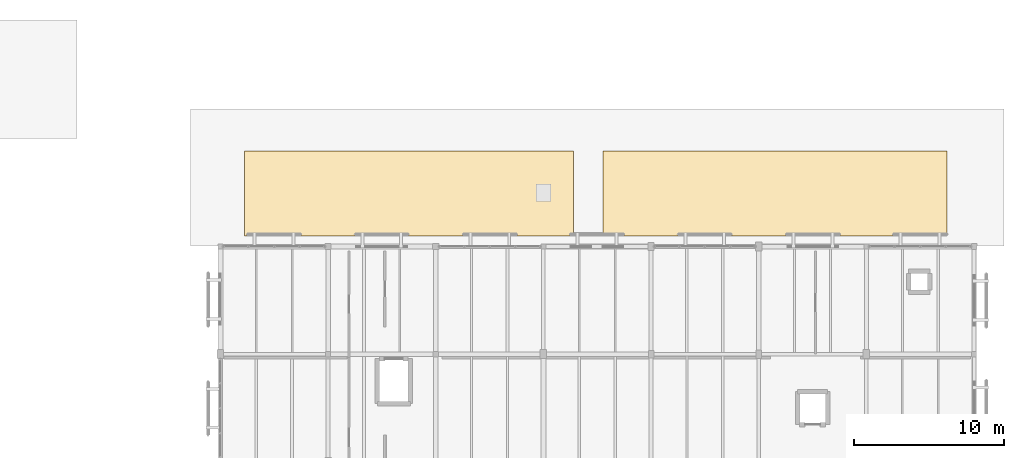
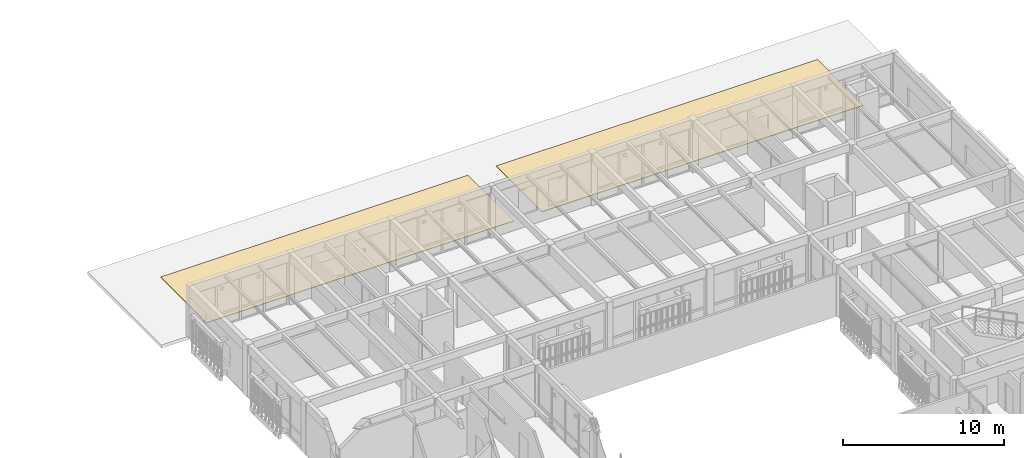
# One storey, part 112 of 112: 2 coverings.
"""IFC4 building model written with IfcOpenShell, lengths in metres."""

from ifc_helpers import new_model, si_unit, direction, frame, origin, place, context, subcontext, project, spatial, polyline, outline, extrude, material, layer, layer_set, type_object, element, save


model = new_model("IFC4")

# Units and contexts
model_context = context("Model", 3, precision=1e-05, world=origin(), true_north=direction((0.0, 1.0)))
body_context = subcontext(model_context, "Body", "Model", "MODEL_VIEW")
ifc_project = project(units=[si_unit("LENGTHUNIT", "METRE"), si_unit("AREAUNIT", "SQUARE_METRE"), si_unit("VOLUMEUNIT", "CUBIC_METRE"), si_unit("PLANEANGLEUNIT", "RADIAN"), si_unit("MASSUNIT", "GRAM", prefix="KILO")], contexts=[model_context])

# Site, building, storey
site_placement = place(None, origin())
site = spatial("IfcSite", under=ifc_project, at=site_placement, CompositionType="ELEMENT")
building_placement = place(site_placement, origin())
building = spatial("IfcBuilding", under=site, at=building_placement, Name="Mazaris Harbour Polytechnic", CompositionType="ELEMENT")
storey_placement = place(building_placement, frame((0.0, 0.0, 13.800048828125)))
storey = spatial("IfcBuildingStorey", under=building, at=storey_placement, Name="L03", CompositionType="ELEMENT", Elevation=13.800048828125)

# Coverings
ifc_material = material(Name="Patinated Standing-Seam Zinc")
ifc_layer = layer(ifc_material, 0.044921875, Name="Patinated Standing-Seam Zinc")
ifc_layer_set = layer_set([ifc_layer], Name="Patinated Standing-Seam Zinc")
covering_type = type_object("IfcCoveringType", Name="Standing-Seam Zinc Roof Covering 45", PredefinedType="ROOFING", material=ifc_layer_set)
covering_1_placement = place(storey_placement, origin())
element("IfcCovering", 1, at=covering_1_placement, inside=storey, type_object=covering_type, Name="Covering COV-RF-04", PredefinedType="ROOFING", context=body_context, shape_type="SweptSolid", body=[
    extrude(outline(polyline([(124.0, 101.5), (146.0, 101.5), (146.0, 107.199951171875), (124.0, 107.199951171875), (124.0, 101.5)])), origin(), (0.0, 0.0, 1.0), 0.044921875),
])
covering_2_placement = place(storey_placement, origin())
element("IfcCovering", 2, at=covering_2_placement, inside=storey, type_object=covering_type, Name="Covering COV-RF-05", PredefinedType="ROOFING", context=body_context, shape_type="SweptSolid", body=[
    extrude(outline(polyline([(148.0, 101.5), (171.0, 101.5), (171.0, 107.199951171875), (148.0, 107.199951171875), (148.0, 101.5)])), origin(), (0.0, 0.0, 1.0), 0.044921875),
])

save(model, "model.ifc")
